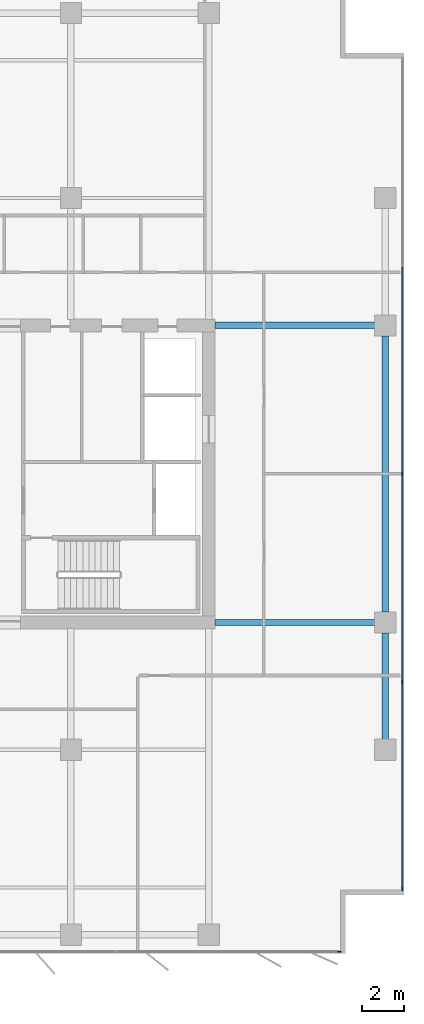
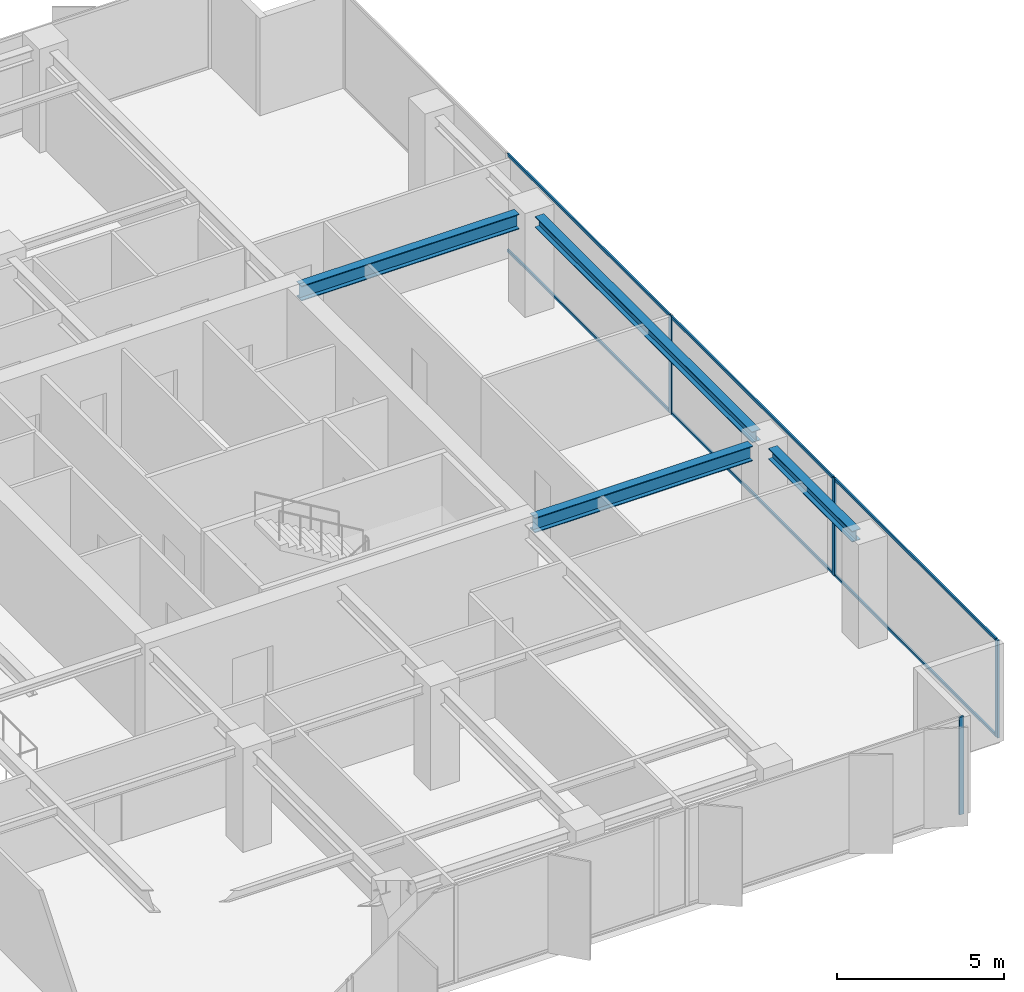
# One storey, part 12 of 22: 10 members, 4 beams, 2 elements without a shape of their own.
"""IFC4 building model written with IfcOpenShell, lengths in metres."""

from ifc_helpers import new_model, si_unit, direction, frame, origin, origin_2d, place, context, subcontext, project, spatial, rectangle, i_section, extrude, material, layer, layer_set, material_profile, profile_set, type_object, element, aggregate, save


model = new_model("IFC4")

# Units and contexts
model_context = context("Model", 3, precision=1e-05, world=origin(), true_north=direction((0.0, 1.0)))
body_context = subcontext(model_context, "Body", "Model", "MODEL_VIEW")
ifc_project = project(units=[si_unit("LENGTHUNIT", "METRE"), si_unit("AREAUNIT", "SQUARE_METRE"), si_unit("VOLUMEUNIT", "CUBIC_METRE"), si_unit("PLANEANGLEUNIT", "RADIAN"), si_unit("MASSUNIT", "GRAM", prefix="KILO")], contexts=[model_context])

# Site, building, storey
site_placement = place(None, origin())
site = spatial("IfcSite", under=ifc_project, at=site_placement, CompositionType="ELEMENT")
building_placement = place(site_placement, origin())
building = spatial("IfcBuilding", under=site, at=building_placement, Name="Putna Gate Headquarters", CompositionType="ELEMENT")
storey_placement = place(building_placement, frame((0.0, 0.0, 163.199951171875)))
storey = spatial("IfcBuildingStorey", under=building, at=storey_placement, Name="L40", CompositionType="ELEMENT", Elevation=163.199951171875)

# Beams
ifc_material_1 = material(Name="Steel S355J2", Category="steel")
ifc_material_profile_1 = material_profile(ifc_material_1, i_section(OverallWidth=0.300048828125, OverallDepth=0.550048828125, WebThickness=0.014892578125, FlangeThickness=0.029052734375, at=origin_2d()), Name="Steel S355J2")
ifc_profile_set_1 = profile_set([ifc_material_profile_1], Name="Steel S355J2")
beam_type_1 = type_object("IfcBeamType", Name="BM-GIRD-Z3-HEB550", PredefinedType="USERDEFINED", material=ifc_profile_set_1)
for number, where, z_axis, x_axis, name in (
    (1, (65.284912109375, 19.0, 3.297119140625), (1.0, 0.0, 0.0), (0.0, 1.0, 0.0), "L40 East Wing Girder Y19"),
    (2, (65.284912109375, 33.0, 3.297119140625), (1.0, 0.0, 0.0), (0.0, 1.0, 0.0), "L40 East Wing Girder Y33"),
):
    element("IfcBeam", number, at=place(storey_placement, frame(where, z_axis=z_axis, x_axis=x_axis)), inside=storey, type_object=beam_type_1, Name=name, ObjectType="GIRDER", PredefinedType="USERDEFINED", context=body_context, shape_type="SweptSolid", body=[
        extrude(i_section(OverallWidth=0.300048828125, OverallDepth=0.550048828125, WebThickness=0.014892578125, FlangeThickness=0.029052734375, at=origin_2d()), origin(), (0.0, 0.0, 1.0), 7.547119140625),
    ])
ifc_material_profile_2 = material_profile(ifc_material_1, i_section(OverallWidth=0.300048828125, OverallDepth=0.39990234375, WebThickness=0.013427734375, FlangeThickness=0.02392578125, at=origin_2d()), Name="Steel S355J2")
ifc_profile_set_2 = profile_set([ifc_material_profile_2], Name="Steel S355J2")
beam_type_2 = type_object("IfcBeamType", Name="BM-SPAN-Z3-HEB400", PredefinedType="SPANDREL", material=ifc_profile_set_2)
beam_1_placement = place(storey_placement, frame((73.320068359375, 13.488037109375, 3.3720703125), z_axis=(0.0, 1.0, 0.0), x_axis=(-1.0, 0.0, 0.0)))
element("IfcBeam", 3, at=beam_1_placement, inside=storey, type_object=beam_type_2, Name="L40 E End Spandrel 1", PredefinedType="SPANDREL", context=body_context, shape_type="SweptSolid", body=[
    extrude(i_section(OverallWidth=0.300048828125, OverallDepth=0.39990234375, WebThickness=0.013427734375, FlangeThickness=0.02392578125, at=origin_2d()), origin(), (0.0, 0.0, 1.0), 5.02392578125),
])
beam_2_placement = place(storey_placement, frame((73.320068359375, 19.488037109375, 3.3720703125), z_axis=(0.0, 1.0, 0.0), x_axis=(-1.0, 0.0, 0.0)))
element("IfcBeam", 4, at=beam_2_placement, inside=storey, type_object=beam_type_2, Name="L40 E End Spandrel 2", PredefinedType="SPANDREL", context=body_context, shape_type="SweptSolid", body=[
    extrude(i_section(OverallWidth=0.300048828125, OverallDepth=0.39990234375, WebThickness=0.013427734375, FlangeThickness=0.02392578125, at=origin_2d()), origin(), (0.0, 0.0, 1.0), 13.02392578125),
])

# Curtain wall, member
ifc_material_2 = material(Name="Anodised bronze aluminium curtain wall", Category="aluminium")
ifc_layer = layer(ifc_material_2, 0.159912109375)
ifc_layer_set = layer_set([ifc_layer], Name="Anodised bronze aluminium curtain wall")
curtain_wall_type = type_object("IfcCurtainWallType", Name="CW-SYS-Z3", PredefinedType="USERDEFINED", material=ifc_layer_set)
curtain_wall_1_placement = place(storey_placement, origin())
curtain_wall_1 = element("IfcCurtainWall", 5, at=curtain_wall_1_placement, inside=storey, type_object=curtain_wall_type, Name="L40 South East Curtain Wall", ObjectType="STICK CURTAIN WALL", PredefinedType="USERDEFINED")
ifc_material_3 = material(Name="Anodised bronze aluminium EN AW-6060", Category="aluminium")
ifc_material_profile_3 = material_profile(ifc_material_3, rectangle(XDim=0.06494140625, YDim=0.159912109375, at=origin_2d()), Name="Anodised bronze aluminium EN AW-6060")
ifc_profile_set_3 = profile_set([ifc_material_profile_3], Name="Anodised bronze aluminium EN AW-6060")
member_type_1 = type_object("IfcMemberType", Name="MULL-CWM-3", PredefinedType="MULLION", material=ifc_profile_set_3)
member_1_placement = place(storey_placement, frame((71.16748046875, 3.47998046875, 0.0), z_axis=(0.0, 0.0, 1.0), x_axis=(0.0, 1.0, 0.0)))
member_1 = element("IfcMember", 6, at=member_1_placement, type_object=member_type_1, Name="CWS-3 mullion 3", PredefinedType="MULLION", context=body_context, shape_type="SweptSolid", body=[
    extrude(rectangle(XDim=0.06494140625, YDim=0.159912109375, at=origin_2d()), origin(), (0.0, 0.0, 1.0), 3.572021484375),
])
aggregate(curtain_wall_1, [member_1])

# Curtain wall, members
curtain_wall_2_placement = place(storey_placement, origin())
curtain_wall_2 = element("IfcCurtainWall", 7, at=curtain_wall_2_placement, inside=storey, type_object=curtain_wall_type, Name="L40 East Curtain Wall", ObjectType="STICK CURTAIN WALL", PredefinedType="USERDEFINED")
member_2_placement = place(storey_placement, frame((74.1201171875, 6.4326171875, 0.0), z_axis=(0.0, 0.0, 1.0), x_axis=(-1.0, 0.0, 0.0)))
member_2 = element("IfcMember", 8, at=member_2_placement, type_object=member_type_1, Name="CWS-3 mullion 1", PredefinedType="MULLION", context=body_context, shape_type="SweptSolid", body=[
    extrude(rectangle(XDim=0.06494140625, YDim=0.159912109375, at=origin_2d()), origin(), (0.0, 0.0, 1.0), 3.572021484375),
])
member_3_placement = place(storey_placement, frame((74.1201171875, 16.199951171875, 0.0), z_axis=(0.0, 0.0, 1.0), x_axis=(-1.0, 0.0, 0.0)))
member_3 = element("IfcMember", 9, at=member_3_placement, type_object=member_type_1, Name="CWS-3 mullion 2", PredefinedType="MULLION", context=body_context, shape_type="SweptSolid", body=[
    extrude(rectangle(XDim=0.06494140625, YDim=0.159912109375, at=origin_2d()), origin(), (0.0, 0.0, 1.0), 3.572021484375),
])
member_4_placement = place(storey_placement, frame((74.1201171875, 26.0, 0.0), z_axis=(0.0, 0.0, 1.0), x_axis=(-1.0, 0.0, 0.0)))
member_4 = element("IfcMember", 10, at=member_4_placement, type_object=member_type_1, Name="CWS-3 mullion 3", PredefinedType="MULLION", context=body_context, shape_type="SweptSolid", body=[
    extrude(rectangle(XDim=0.06494140625, YDim=0.159912109375, at=origin_2d()), origin(), (0.0, 0.0, 1.0), 3.572021484375),
])
ifc_material_profile_4 = material_profile(ifc_material_3, rectangle(XDim=0.06005859375, YDim=0.10009765625, at=origin_2d()), Name="Anodised bronze aluminium EN AW-6060")
ifc_profile_set_4 = profile_set([ifc_material_profile_4], Name="Anodised bronze aluminium EN AW-6060")
member_type_2 = type_object("IfcMemberType", Name="TRAN-CWT-3", PredefinedType="USERDEFINED", material=ifc_profile_set_4)
member_5_placement = place(storey_placement, frame((74.1201171875, 6.465087890625, 0.030029296875), z_axis=(0.0, 1.0, 0.0), x_axis=(-1.0, 0.0, 0.0)))
member_5 = element("IfcMember", 11, at=member_5_placement, type_object=member_type_2, Name="CWS-3 transom 1.1", ObjectType="TRANSOM", PredefinedType="USERDEFINED", context=body_context, shape_type="SweptSolid", body=[
    extrude(rectangle(XDim=0.06005859375, YDim=0.10009765625, at=origin_2d()), origin(), (0.0, 0.0, 1.0), 9.702392578125),
])
member_6_placement = place(storey_placement, frame((74.1201171875, 6.465087890625, 3.5419921875), z_axis=(0.0, 1.0, 0.0), x_axis=(-1.0, 0.0, 0.0)))
member_6 = element("IfcMember", 12, at=member_6_placement, type_object=member_type_2, Name="CWS-3 transom 1.2", ObjectType="TRANSOM", PredefinedType="USERDEFINED", context=body_context, shape_type="SweptSolid", body=[
    extrude(rectangle(XDim=0.06005859375, YDim=0.10009765625, at=origin_2d()), origin(), (0.0, 0.0, 1.0), 9.702392578125),
])
member_7_placement = place(storey_placement, frame((74.1201171875, 16.232421875, 0.030029296875), z_axis=(0.0, 1.0, 0.0), x_axis=(-1.0, 0.0, 0.0)))
member_7 = element("IfcMember", 13, at=member_7_placement, type_object=member_type_2, Name="CWS-3 transom 2.1", ObjectType="TRANSOM", PredefinedType="USERDEFINED", context=body_context, shape_type="SweptSolid", body=[
    extrude(rectangle(XDim=0.06005859375, YDim=0.10009765625, at=origin_2d()), origin(), (0.0, 0.0, 1.0), 9.735107421875),
])
member_8_placement = place(storey_placement, frame((74.1201171875, 16.232421875, 3.5419921875), z_axis=(0.0, 1.0, 0.0), x_axis=(-1.0, 0.0, 0.0)))
member_8 = element("IfcMember", 14, at=member_8_placement, type_object=member_type_2, Name="CWS-3 transom 2.2", ObjectType="TRANSOM", PredefinedType="USERDEFINED", context=body_context, shape_type="SweptSolid", body=[
    extrude(rectangle(XDim=0.06005859375, YDim=0.10009765625, at=origin_2d()), origin(), (0.0, 0.0, 1.0), 9.735107421875),
])
member_9_placement = place(storey_placement, frame((74.1201171875, 26.032470703125, 0.030029296875), z_axis=(0.0, 1.0, 0.0), x_axis=(-1.0, 0.0, 0.0)))
member_9 = element("IfcMember", 15, at=member_9_placement, type_object=member_type_2, Name="CWS-3 transom 3.1", ObjectType="TRANSOM", PredefinedType="USERDEFINED", context=body_context, shape_type="SweptSolid", body=[
    extrude(rectangle(XDim=0.06005859375, YDim=0.10009765625, at=origin_2d()), origin(), (0.0, 0.0, 1.0), 9.735107421875),
])
member_10_placement = place(storey_placement, frame((74.1201171875, 26.032470703125, 3.5419921875), z_axis=(0.0, 1.0, 0.0), x_axis=(-1.0, 0.0, 0.0)))
member_10 = element("IfcMember", 16, at=member_10_placement, type_object=member_type_2, Name="CWS-3 transom 3.2", ObjectType="TRANSOM", PredefinedType="USERDEFINED", context=body_context, shape_type="SweptSolid", body=[
    extrude(rectangle(XDim=0.06005859375, YDim=0.10009765625, at=origin_2d()), origin(), (0.0, 0.0, 1.0), 9.735107421875),
])
aggregate(curtain_wall_2, [member_2, member_3, member_4, member_5, member_6, member_7, member_8, member_9, member_10])

save(model, "model.ifc")
